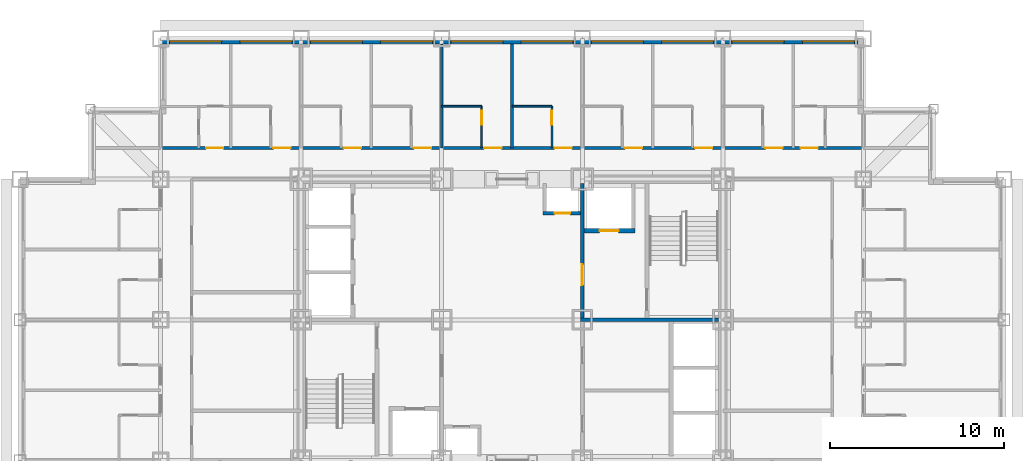
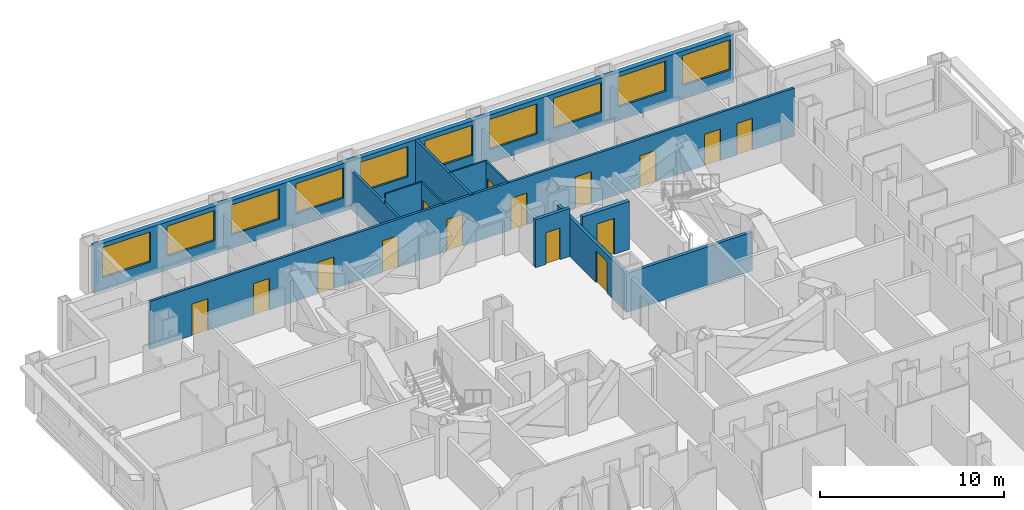
# One storey, part 9 of 12: 15 doors, 12 walls, 10 windows, 25 openings.
"""IFC4 building model written with IfcOpenShell, lengths in metres."""

from ifc_helpers import new_model, si_unit, direction, frame, frame_2d, origin, place, context, subcontext, project, spatial, rectangle, extrude, material, layer, layer_set, type_object, element, fill, save


model = new_model("IFC4")

# Units and contexts
model_context = context("Model", 3, precision=1e-05, world=origin(), true_north=direction((0.0, 1.0)))
body_context = subcontext(model_context, "Body", "Model", "MODEL_VIEW")
ifc_project = project(units=[si_unit("LENGTHUNIT", "METRE"), si_unit("AREAUNIT", "SQUARE_METRE"), si_unit("VOLUMEUNIT", "CUBIC_METRE"), si_unit("PLANEANGLEUNIT", "RADIAN"), si_unit("MASSUNIT", "GRAM", prefix="KILO")], contexts=[model_context])

# Site, building, storey
site_placement = place(None, origin())
site = spatial("IfcSite", under=ifc_project, at=site_placement, CompositionType="ELEMENT")
building_placement = place(site_placement, origin())
building = spatial("IfcBuilding", under=site, at=building_placement, Name="Kopane Lantern Tower", CompositionType="ELEMENT")
storey_placement = place(building_placement, frame((0.0, 0.0, 46.60009765625)))
storey = spatial("IfcBuildingStorey", under=building, at=storey_placement, Name="L10", CompositionType="ELEMENT", Elevation=46.60009765625)

# Wall
ifc_material_1 = material(Name="Moisture-resistant board on steel studs", Category="steel")
ifc_layer_1 = layer(ifc_material_1, 0.10009765625)
ifc_layer_set_1 = layer_set([ifc_layer_1], Name="BATHROOM WALL 100")
wall_type_1 = type_object("IfcWallType", Name="BATHROOM WALL 100", PredefinedType="PARTITIONING", material=ifc_layer_set_1)
wall_1_placement = place(storey_placement, frame((24.300048828125, 44.699951171875, 0.0), z_axis=(0.0, 0.0, 1.0), x_axis=(1.0, 0.0, 0.0)))
element("IfcWall", 1, at=wall_1_placement, inside=storey, type_object=wall_type_1, Name="Bathroom Wall 100 L10", PredefinedType="PARTITIONING", context=body_context, shape_type="SweptSolid", body=[
    extrude(rectangle(XDim=2.300048828125, YDim=0.10009765625, at=frame_2d((1.14990234375, 0.0))), origin(), (0.0, 0.0, 1.0), 3.18994140625),
])

# Wall, opening, door
wall_2_placement = place(storey_placement, frame((26.60009765625, 42.300048828125, 0.0), z_axis=(0.0, 0.0, 1.0), x_axis=(0.0, 1.0, 0.0)))
wall_2 = element("IfcWall", 2, at=wall_2_placement, inside=storey, type_object=wall_type_1, Name="Bathroom Wall 100 L10", PredefinedType="PARTITIONING", context=body_context, shape_type="SweptSolid", body=[
    extrude(rectangle(XDim=2.39990234375, YDim=0.10009765625, at=frame_2d((1.199951171875, 0.0))), origin(), (0.0, 0.0, 1.0), 3.18994140625),
])
opening_1_placement = place(wall_2_placement, frame((1.35009765625, 0.0, 0.0)))
opening_1 = element("IfcOpeningElement", 3, at=opening_1_placement, cuts=wall_2, Name="Opening L10-039", PredefinedType="OPENING", context=body_context, shape_type="SweptSolid", body=[
    extrude(rectangle(XDim=0.800048828125, YDim=2.10009765625, at=frame_2d((0.39990234375, 1.050048828125))), frame((0.0, 0.06005859375, 0.0), z_axis=(0.0, -1.0, 0.0), x_axis=(1.0, 0.0, 0.0)), (0.0, 0.0, 1.0), 0.1201171875),
])
ifc_material_2 = material(Name="Timber door set", Category="wood")
door_type_1 = type_object("IfcDoorType", Name="DOOR D2 800x2100", OperationType="SINGLE_SWING_LEFT", PredefinedType="DOOR", material=ifc_material_2)
door_1_placement = place(opening_1_placement, origin())
door_1 = element("IfcDoor", 4, at=door_1_placement, inside=storey, type_object=door_type_1, Name="Door L10-039", OperationType="SINGLE_SWING_RIGHT", OverallHeight=2.10009765625, OverallWidth=0.800048828125, PredefinedType="DOOR", context=body_context, shape_type="SweptSolid", body=[
    extrude(rectangle(XDim=0.800048828125, YDim=2.10009765625, at=frame_2d((0.39990234375, 1.050048828125))), frame((0.0, 0.02490234375, 0.0), z_axis=(0.0, -1.0, 0.0), x_axis=(1.0, 0.0, 0.0)), (0.0, 0.0, 1.0), 0.050048828125),
])
fill(opening_1, door_1)

# Wall
wall_3_placement = place(storey_placement, frame((28.35009765625, 44.699951171875, 0.0), z_axis=(0.0, 0.0, 1.0), x_axis=(1.0, 0.0, 0.0)))
element("IfcWall", 5, at=wall_3_placement, inside=storey, type_object=wall_type_1, Name="Bathroom Wall 100 L10", PredefinedType="PARTITIONING", context=body_context, shape_type="SweptSolid", body=[
    extrude(rectangle(XDim=2.2998046875, YDim=0.10009765625, at=frame_2d((1.14990234375, 0.0))), origin(), (0.0, 0.0, 1.0), 3.18994140625),
])

# Wall, opening, door
wall_4_placement = place(storey_placement, frame((30.64990234375, 42.300048828125, 0.0), z_axis=(0.0, 0.0, 1.0), x_axis=(0.0, 1.0, 0.0)))
wall_4 = element("IfcWall", 6, at=wall_4_placement, inside=storey, type_object=wall_type_1, Name="Bathroom Wall 100 L10", PredefinedType="PARTITIONING", context=body_context, shape_type="SweptSolid", body=[
    extrude(rectangle(XDim=2.39990234375, YDim=0.10009765625, at=frame_2d((1.199951171875, 0.0))), origin(), (0.0, 0.0, 1.0), 3.18994140625),
])
opening_2_placement = place(wall_4_placement, frame((1.35009765625, 0.0, 0.0)))
opening_2 = element("IfcOpeningElement", 7, at=opening_2_placement, cuts=wall_4, Name="Opening L10-041", PredefinedType="OPENING", context=body_context, shape_type="SweptSolid", body=[
    extrude(rectangle(XDim=0.800048828125, YDim=2.10009765625, at=frame_2d((0.39990234375, 1.050048828125))), frame((0.0, 0.06005859375, 0.0), z_axis=(0.0, -1.0, 0.0), x_axis=(1.0, 0.0, 0.0)), (0.0, 0.0, 1.0), 0.1201171875),
])
door_2_placement = place(opening_2_placement, origin())
door_2 = element("IfcDoor", 8, at=door_2_placement, inside=storey, type_object=door_type_1, Name="Door L10-041", OperationType="SINGLE_SWING_RIGHT", OverallHeight=2.10009765625, OverallWidth=0.800048828125, PredefinedType="DOOR", context=body_context, shape_type="SweptSolid", body=[
    extrude(rectangle(XDim=0.800048828125, YDim=2.10009765625, at=frame_2d((0.39990234375, 1.050048828125))), frame((0.0, 0.02490234375, 0.0), z_axis=(0.0, -1.0, 0.0), x_axis=(1.0, 0.0, 0.0)), (0.0, 0.0, 1.0), 0.050048828125),
])
fill(opening_2, door_2)

ifc_material_3 = material(Name="Gypsum shaft wall EI 120", Category="gypsum")
ifc_layer_2 = layer(ifc_material_3, 0.25)
ifc_layer_set_2 = layer_set([ifc_layer_2], Name="CORE SHAFT WALL 250 EI 120")
wall_type_2 = type_object("IfcWallType", Name="CORE SHAFT WALL 250 EI 120", PredefinedType="SOLIDWALL", material=ifc_layer_set_2)
wall_5_placement = place(storey_placement, frame((32.5, 37.52490234375, 0.0), z_axis=(0.0, 0.0, 1.0), x_axis=(1.0, 0.0, 0.0)))
wall_5 = element("IfcWall", 9, at=wall_5_placement, inside=storey, type_object=wall_type_2, Name="Core shaft wall L10 YLF2", PredefinedType="SOLIDWALL", context=body_context, shape_type="SweptSolid", body=[
    extrude(rectangle(XDim=2.949951171875, YDim=0.25, at=frame_2d((1.47509765625, 0.0))), origin(), (0.0, 0.0, 1.0), 3.18994140625),
])
opening_3_placement = place(wall_5_placement, frame((0.89990234375, 0.0, 0.0)))
opening_3 = element("IfcOpeningElement", 10, at=opening_3_placement, cuts=wall_5, Name="Opening 10.LD-LF2", PredefinedType="OPENING", context=body_context, shape_type="SweptSolid", body=[
    extrude(rectangle(XDim=1.10009765625, YDim=2.39990234375, at=frame_2d((0.550048828125, 1.199951171875))), frame((0.0, 0.135009765625, 0.0), z_axis=(0.0, -1.0, 0.0), x_axis=(1.0, 0.0, 0.0)), (0.0, 0.0, 1.0), 0.27001953125),
])
ifc_material_4 = material(Name="Steel door set", Category="steel")
door_type_2 = type_object("IfcDoorType", Name="LIFT LANDING DOOR 1100x2400 FD60", OperationType="DOUBLE_DOOR_SLIDING", PredefinedType="DOOR", material=ifc_material_4)
door_3_placement = place(opening_3_placement, origin())
door_3 = element("IfcDoor", 11, at=door_3_placement, inside=storey, type_object=door_type_2, Name="Landing door LF2 L10", OperationType="DOUBLE_DOOR_SLIDING", OverallHeight=2.39990234375, OverallWidth=1.10009765625, PredefinedType="DOOR", context=body_context, shape_type="SweptSolid", body=[
    extrude(rectangle(XDim=1.10009765625, YDim=2.39990234375, at=frame_2d((0.550048828125, 1.199951171875))), frame((0.0, 0.02490234375, 0.0), z_axis=(0.0, -1.0, 0.0), x_axis=(1.0, 0.0, 0.0)), (0.0, 0.0, 1.0), 0.050048828125),
])
fill(opening_3, door_3)

# Wall, openings, doors
ifc_material_5 = material(Name="Gypsum board on steel studs", Category="steel")
ifc_layer_3 = layer(ifc_material_5, 0.14990234375)
ifc_layer_set_3 = layer_set([ifc_layer_3], Name="CORRIDOR WALL 150 EI 60")
wall_type_3 = type_object("IfcWallType", Name="CORRIDOR WALL 150 EI 60", PredefinedType="PARTITIONING", material=ifc_layer_set_3)
wall_6_placement = place(storey_placement, frame((8.10009765625, 42.300048828125, 0.0), z_axis=(0.0, 0.0, 1.0), x_axis=(1.0, 0.0, 0.0)))
wall_6 = element("IfcWall", 12, at=wall_6_placement, inside=storey, type_object=wall_type_3, Name="Corridor Wall 150 Ei 60 L10", PredefinedType="PARTITIONING", context=body_context, shape_type="SweptSolid", body=[
    extrude(rectangle(XDim=40.5, YDim=0.14990234375, at=frame_2d((20.25, 0.0))), origin(), (0.0, 0.0, 1.0), 3.18994140625),
])
opening_4_placement = place(wall_6_placement, frame((6.5, 0.0, 0.0)))
opening_4 = element("IfcOpeningElement", 13, at=opening_4_placement, cuts=wall_6, Name="Opening L10-034", PredefinedType="OPENING", context=body_context, shape_type="SweptSolid", body=[
    extrude(rectangle(XDim=1.0, YDim=2.10009765625, at=frame_2d((0.5, 1.050048828125))), frame((0.0, 0.0849609375, 0.0), z_axis=(0.0, -1.0, 0.0), x_axis=(1.0, 0.0, 0.0)), (0.0, 0.0, 1.0), 0.169921875),
])
opening_5_placement = place(wall_6_placement, frame((10.550048828125, 0.0, 0.0)))
opening_5 = element("IfcOpeningElement", 14, at=opening_5_placement, cuts=wall_6, Name="Opening L10-036", PredefinedType="OPENING", context=body_context, shape_type="SweptSolid", body=[
    extrude(rectangle(XDim=1.0, YDim=2.10009765625, at=frame_2d((0.5, 1.050048828125))), frame((0.0, 0.0849609375, 0.0), z_axis=(0.0, -1.0, 0.0), x_axis=(1.0, 0.0, 0.0)), (0.0, 0.0, 1.0), 0.169921875),
])
opening_6_placement = place(wall_6_placement, frame((14.60009765625, 0.0, 0.0)))
opening_6 = element("IfcOpeningElement", 15, at=opening_6_placement, cuts=wall_6, Name="Opening L10-038", PredefinedType="OPENING", context=body_context, shape_type="SweptSolid", body=[
    extrude(rectangle(XDim=1.0, YDim=2.10009765625, at=frame_2d((0.5, 1.050048828125))), frame((0.0, 0.0849609375, 0.0), z_axis=(0.0, -1.0, 0.0), x_axis=(1.0, 0.0, 0.0)), (0.0, 0.0, 1.0), 0.169921875),
])
opening_7_placement = place(wall_6_placement, frame((18.64990234375, 0.0, 0.0)))
opening_7 = element("IfcOpeningElement", 16, at=opening_7_placement, cuts=wall_6, Name="Opening L10-040", PredefinedType="OPENING", context=body_context, shape_type="SweptSolid", body=[
    extrude(rectangle(XDim=1.0, YDim=2.10009765625, at=frame_2d((0.5, 1.050048828125))), frame((0.0, 0.0849609375, 0.0), z_axis=(0.0, -1.0, 0.0), x_axis=(1.0, 0.0, 0.0)), (0.0, 0.0, 1.0), 0.169921875),
])
opening_8_placement = place(wall_6_placement, frame((22.699951171875, 0.0, 0.0)))
opening_8 = element("IfcOpeningElement", 17, at=opening_8_placement, cuts=wall_6, Name="Opening L10-042", PredefinedType="OPENING", context=body_context, shape_type="SweptSolid", body=[
    extrude(rectangle(XDim=1.0, YDim=2.10009765625, at=frame_2d((0.5, 1.050048828125))), frame((0.0, 0.0849609375, 0.0), z_axis=(0.0, -1.0, 0.0), x_axis=(1.0, 0.0, 0.0)), (0.0, 0.0, 1.0), 0.169921875),
])
opening_9_placement = place(wall_6_placement, frame((26.75, 0.0, 0.0)))
opening_9 = element("IfcOpeningElement", 18, at=opening_9_placement, cuts=wall_6, Name="Opening L10-044", PredefinedType="OPENING", context=body_context, shape_type="SweptSolid", body=[
    extrude(rectangle(XDim=1.0, YDim=2.10009765625, at=frame_2d((0.5, 1.050048828125))), frame((0.0, 0.0849609375, 0.0), z_axis=(0.0, -1.0, 0.0), x_axis=(1.0, 0.0, 0.0)), (0.0, 0.0, 1.0), 0.169921875),
])
opening_10_placement = place(wall_6_placement, frame((30.800048828125, 0.0, 0.0)))
opening_10 = element("IfcOpeningElement", 19, at=opening_10_placement, cuts=wall_6, Name="Opening L10-046", PredefinedType="OPENING", context=body_context, shape_type="SweptSolid", body=[
    extrude(rectangle(XDim=1.0, YDim=2.10009765625, at=frame_2d((0.5, 1.050048828125))), frame((0.0, 0.0849609375, 0.0), z_axis=(0.0, -1.0, 0.0), x_axis=(1.0, 0.0, 0.0)), (0.0, 0.0, 1.0), 0.169921875),
])
opening_11_placement = place(wall_6_placement, frame((34.85009765625, 0.0, 0.0)))
opening_11 = element("IfcOpeningElement", 20, at=opening_11_placement, cuts=wall_6, Name="Opening L10-048", PredefinedType="OPENING", context=body_context, shape_type="SweptSolid", body=[
    extrude(rectangle(XDim=1.0, YDim=2.10009765625, at=frame_2d((0.5, 1.050048828125))), frame((0.0, 0.0849609375, 0.0), z_axis=(0.0, -1.0, 0.0), x_axis=(1.0, 0.0, 0.0)), (0.0, 0.0, 1.0), 0.169921875),
])
opening_12_placement = place(wall_6_placement, frame((36.875, 0.0, 0.0)))
opening_12 = element("IfcOpeningElement", 21, at=opening_12_placement, cuts=wall_6, Name="Opening L10-084", PredefinedType="OPENING", context=body_context, shape_type="SweptSolid", body=[
    extrude(rectangle(XDim=1.0, YDim=2.10009765625, at=frame_2d((0.5, 1.050048828125))), frame((0.0, 0.0849609375, 0.0), z_axis=(0.0, -1.0, 0.0), x_axis=(1.0, 0.0, 0.0)), (0.0, 0.0, 1.0), 0.169921875),
])
opening_13_placement = place(wall_6_placement, frame((2.625, 0.0, 0.0)))
opening_13 = element("IfcOpeningElement", 22, at=opening_13_placement, cuts=wall_6, Name="Opening L10-087", PredefinedType="OPENING", context=body_context, shape_type="SweptSolid", body=[
    extrude(rectangle(XDim=1.0, YDim=2.10009765625, at=frame_2d((0.5, 1.050048828125))), frame((0.0, 0.0849609375, 0.0), z_axis=(0.0, -1.0, 0.0), x_axis=(1.0, 0.0, 0.0)), (0.0, 0.0, 1.0), 0.169921875),
])
ifc_material_6 = material(Name="Steel door set", Category="steel")
door_type_3 = type_object("IfcDoorType", Name="DOOR D1 1000x2100 FD30S", OperationType="SINGLE_SWING_LEFT", PredefinedType="DOOR", material=ifc_material_6)
door_4_placement = place(opening_4_placement, origin())
door_4 = element("IfcDoor", 23, at=door_4_placement, inside=storey, type_object=door_type_3, Name="Door L10-034", OperationType="SINGLE_SWING_LEFT", OverallHeight=2.10009765625, OverallWidth=1.0, PredefinedType="DOOR", context=body_context, shape_type="SweptSolid", body=[
    extrude(rectangle(XDim=1.0, YDim=2.10009765625, at=frame_2d((0.5, 1.050048828125))), frame((0.0, 0.02490234375, 0.0), z_axis=(0.0, -1.0, 0.0), x_axis=(1.0, 0.0, 0.0)), (0.0, 0.0, 1.0), 0.050048828125),
])
fill(opening_4, door_4)
door_5_placement = place(opening_5_placement, origin())
door_5 = element("IfcDoor", 24, at=door_5_placement, inside=storey, type_object=door_type_3, Name="Door L10-036", OperationType="SINGLE_SWING_LEFT", OverallHeight=2.10009765625, OverallWidth=1.0, PredefinedType="DOOR", context=body_context, shape_type="SweptSolid", body=[
    extrude(rectangle(XDim=1.0, YDim=2.10009765625, at=frame_2d((0.5, 1.050048828125))), frame((0.0, 0.02490234375, 0.0), z_axis=(0.0, -1.0, 0.0), x_axis=(1.0, 0.0, 0.0)), (0.0, 0.0, 1.0), 0.050048828125),
])
fill(opening_5, door_5)
door_6_placement = place(opening_6_placement, origin())
door_6 = element("IfcDoor", 25, at=door_6_placement, inside=storey, type_object=door_type_3, Name="Door L10-038", OperationType="SINGLE_SWING_LEFT", OverallHeight=2.10009765625, OverallWidth=1.0, PredefinedType="DOOR", context=body_context, shape_type="SweptSolid", body=[
    extrude(rectangle(XDim=1.0, YDim=2.10009765625, at=frame_2d((0.5, 1.050048828125))), frame((0.0, 0.02490234375, 0.0), z_axis=(0.0, -1.0, 0.0), x_axis=(1.0, 0.0, 0.0)), (0.0, 0.0, 1.0), 0.050048828125),
])
fill(opening_6, door_6)
door_7_placement = place(opening_7_placement, origin())
door_7 = element("IfcDoor", 26, at=door_7_placement, inside=storey, type_object=door_type_3, Name="Door L10-040", OperationType="SINGLE_SWING_LEFT", OverallHeight=2.10009765625, OverallWidth=1.0, PredefinedType="DOOR", context=body_context, shape_type="SweptSolid", body=[
    extrude(rectangle(XDim=1.0, YDim=2.10009765625, at=frame_2d((0.5, 1.050048828125))), frame((0.0, 0.02490234375, 0.0), z_axis=(0.0, -1.0, 0.0), x_axis=(1.0, 0.0, 0.0)), (0.0, 0.0, 1.0), 0.050048828125),
])
fill(opening_7, door_7)
door_8_placement = place(opening_8_placement, origin())
door_8 = element("IfcDoor", 27, at=door_8_placement, inside=storey, type_object=door_type_3, Name="Door L10-042", OperationType="SINGLE_SWING_LEFT", OverallHeight=2.10009765625, OverallWidth=1.0, PredefinedType="DOOR", context=body_context, shape_type="SweptSolid", body=[
    extrude(rectangle(XDim=1.0, YDim=2.10009765625, at=frame_2d((0.5, 1.050048828125))), frame((0.0, 0.02490234375, 0.0), z_axis=(0.0, -1.0, 0.0), x_axis=(1.0, 0.0, 0.0)), (0.0, 0.0, 1.0), 0.050048828125),
])
fill(opening_8, door_8)
door_9_placement = place(opening_9_placement, origin())
door_9 = element("IfcDoor", 28, at=door_9_placement, inside=storey, type_object=door_type_3, Name="Door L10-044", OperationType="SINGLE_SWING_LEFT", OverallHeight=2.10009765625, OverallWidth=1.0, PredefinedType="DOOR", context=body_context, shape_type="SweptSolid", body=[
    extrude(rectangle(XDim=1.0, YDim=2.10009765625, at=frame_2d((0.5, 1.050048828125))), frame((0.0, 0.02490234375, 0.0), z_axis=(0.0, -1.0, 0.0), x_axis=(1.0, 0.0, 0.0)), (0.0, 0.0, 1.0), 0.050048828125),
])
fill(opening_9, door_9)
door_10_placement = place(opening_10_placement, origin())
door_10 = element("IfcDoor", 29, at=door_10_placement, inside=storey, type_object=door_type_3, Name="Door L10-046", OperationType="SINGLE_SWING_LEFT", OverallHeight=2.10009765625, OverallWidth=1.0, PredefinedType="DOOR", context=body_context, shape_type="SweptSolid", body=[
    extrude(rectangle(XDim=1.0, YDim=2.10009765625, at=frame_2d((0.5, 1.050048828125))), frame((0.0, 0.02490234375, 0.0), z_axis=(0.0, -1.0, 0.0), x_axis=(1.0, 0.0, 0.0)), (0.0, 0.0, 1.0), 0.050048828125),
])
fill(opening_10, door_10)
door_11_placement = place(opening_11_placement, origin())
door_11 = element("IfcDoor", 30, at=door_11_placement, inside=storey, type_object=door_type_3, Name="Door L10-048", OperationType="SINGLE_SWING_LEFT", OverallHeight=2.10009765625, OverallWidth=1.0, PredefinedType="DOOR", context=body_context, shape_type="SweptSolid", body=[
    extrude(rectangle(XDim=1.0, YDim=2.10009765625, at=frame_2d((0.5, 1.050048828125))), frame((0.0, 0.02490234375, 0.0), z_axis=(0.0, -1.0, 0.0), x_axis=(1.0, 0.0, 0.0)), (0.0, 0.0, 1.0), 0.050048828125),
])
fill(opening_11, door_11)
door_12_placement = place(opening_12_placement, origin())
door_12 = element("IfcDoor", 31, at=door_12_placement, inside=storey, type_object=door_type_3, Name="Door L10-084", OperationType="SINGLE_SWING_RIGHT", OverallHeight=2.10009765625, OverallWidth=1.0, PredefinedType="DOOR", context=body_context, shape_type="SweptSolid", body=[
    extrude(rectangle(XDim=1.0, YDim=2.10009765625, at=frame_2d((0.5, 1.050048828125))), frame((0.0, 0.02490234375, 0.0), z_axis=(0.0, -1.0, 0.0), x_axis=(1.0, 0.0, 0.0)), (0.0, 0.0, 1.0), 0.050048828125),
])
fill(opening_12, door_12)
door_13_placement = place(opening_13_placement, origin())
door_13 = element("IfcDoor", 32, at=door_13_placement, inside=storey, type_object=door_type_3, Name="Door L10-087", OperationType="SINGLE_SWING_LEFT", OverallHeight=2.10009765625, OverallWidth=1.0, PredefinedType="DOOR", context=body_context, shape_type="SweptSolid", body=[
    extrude(rectangle(XDim=1.0, YDim=2.10009765625, at=frame_2d((0.5, 1.050048828125))), frame((0.0, 0.02490234375, 0.0), z_axis=(0.0, -1.0, 0.0), x_axis=(1.0, 0.0, 0.0)), (0.0, 0.0, 1.0), 0.050048828125),
])
fill(opening_13, door_13)

# Walls
ifc_material_7 = material(Name="Gypsum board on steel studs", Category="steel")
ifc_layer_4 = layer(ifc_material_7, 0.14990234375)
ifc_layer_set_4 = layer_set([ifc_layer_4], Name="DEMISING WALL 150 EI 60")
wall_type_4 = type_object("IfcWallType", Name="DEMISING WALL 150 EI 60", PredefinedType="PARTITIONING", material=ifc_layer_set_4)
wall_7_placement = place(storey_placement, frame((24.300048828125, 42.300048828125, 0.0), z_axis=(0.0, 0.0, 1.0), x_axis=(0.0, 1.0, 0.0)))
element("IfcWall", 33, at=wall_7_placement, inside=storey, type_object=wall_type_4, Name="Demising Wall 150 Ei 60 L10", PredefinedType="PARTITIONING", context=body_context, shape_type="SweptSolid", body=[
    extrude(rectangle(XDim=6.0, YDim=0.14990234375, at=frame_2d((3.0, 0.0))), origin(), (0.0, 0.0, 1.0), 2.57763671875),
])
wall_8_placement = place(storey_placement, frame((28.35009765625, 42.300048828125, 0.0), z_axis=(0.0, 0.0, 1.0), x_axis=(0.0, 1.0, 0.0)))
element("IfcWall", 34, at=wall_8_placement, inside=storey, type_object=wall_type_4, Name="Demising Wall 150 Ei 60 L10", PredefinedType="PARTITIONING", context=body_context, shape_type="SweptSolid", body=[
    extrude(rectangle(XDim=6.0, YDim=0.14990234375, at=frame_2d((3.0, 0.0))), origin(), (0.0, 0.0, 1.0), 3.18994140625),
])

# Wall, openings, windows
ifc_material_8 = material(Name="Terracotta rainscreen on light steel framing", Category="masonry")
ifc_layer_5 = layer(ifc_material_8, 0.300048828125)
ifc_layer_set_5 = layer_set([ifc_layer_5], Name="EXTERNAL WALL EW1 300 TERRACOTTA")
wall_type_5 = type_object("IfcWallType", Name="EXTERNAL WALL EW1 300 TERRACOTTA", PredefinedType="SOLIDWALL", material=ifc_layer_set_5)
wall_9_placement = place(storey_placement, frame((48.300048828125, 48.449951171875, 0.0), z_axis=(0.0, 0.0, 1.0), x_axis=(-1.0, 0.0, 0.0)))
wall_9 = element("IfcWall", 35, at=wall_9_placement, inside=storey, type_object=wall_type_5, Name="External wall N L10", PredefinedType="SOLIDWALL", context=body_context, shape_type="SweptSolid", body=[
    extrude(rectangle(XDim=40.199951171875, YDim=0.300048828125, at=frame_2d((20.10009765625, 0.0))), origin(), (0.0, 0.0, 1.0), 3.18994140625),
])
opening_14_placement = place(wall_9_placement, frame((0.22509765625, 0.0, 0.89990234375)))
opening_14 = element("IfcOpeningElement", 36, at=opening_14_placement, cuts=wall_9, Name="Opening WR300200", PredefinedType="OPENING", context=body_context, shape_type="SweptSolid", body=[
    extrude(rectangle(XDim=3.0, YDim=2.0, at=frame_2d((1.5, 1.0))), frame((0.0, 0.159912109375, 0.0), z_axis=(0.0, -1.0, 0.0), x_axis=(1.0, 0.0, 0.0)), (0.0, 0.0, 1.0), 0.320068359375),
])
opening_15_placement = place(wall_9_placement, frame((4.27490234375, 0.0, 0.89990234375)))
opening_15 = element("IfcOpeningElement", 37, at=opening_15_placement, cuts=wall_9, Name="Opening WR300200", PredefinedType="OPENING", context=body_context, shape_type="SweptSolid", body=[
    extrude(rectangle(XDim=3.0, YDim=2.0, at=frame_2d((1.5, 1.0))), frame((0.0, 0.159912109375, 0.0), z_axis=(0.0, -1.0, 0.0), x_axis=(1.0, 0.0, 0.0)), (0.0, 0.0, 1.0), 0.320068359375),
])
opening_16_placement = place(wall_9_placement, frame((8.324951171875, 0.0, 0.89990234375)))
opening_16 = element("IfcOpeningElement", 38, at=opening_16_placement, cuts=wall_9, Name="Opening WR300200", PredefinedType="OPENING", context=body_context, shape_type="SweptSolid", body=[
    extrude(rectangle(XDim=3.0, YDim=2.0, at=frame_2d((1.5, 1.0))), frame((0.0, 0.159912109375, 0.0), z_axis=(0.0, -1.0, 0.0), x_axis=(1.0, 0.0, 0.0)), (0.0, 0.0, 1.0), 0.320068359375),
])
opening_17_placement = place(wall_9_placement, frame((12.375, 0.0, 0.89990234375)))
opening_17 = element("IfcOpeningElement", 39, at=opening_17_placement, cuts=wall_9, Name="Opening WR300200", PredefinedType="OPENING", context=body_context, shape_type="SweptSolid", body=[
    extrude(rectangle(XDim=3.0, YDim=2.0, at=frame_2d((1.5, 1.0))), frame((0.0, 0.159912109375, 0.0), z_axis=(0.0, -1.0, 0.0), x_axis=(1.0, 0.0, 0.0)), (0.0, 0.0, 1.0), 0.320068359375),
])
opening_18_placement = place(wall_9_placement, frame((16.425048828125, 0.0, 0.89990234375)))
opening_18 = element("IfcOpeningElement", 40, at=opening_18_placement, cuts=wall_9, Name="Opening WR300200", PredefinedType="OPENING", context=body_context, shape_type="SweptSolid", body=[
    extrude(rectangle(XDim=3.0, YDim=2.0, at=frame_2d((1.5, 1.0))), frame((0.0, 0.159912109375, 0.0), z_axis=(0.0, -1.0, 0.0), x_axis=(1.0, 0.0, 0.0)), (0.0, 0.0, 1.0), 0.320068359375),
])
opening_19_placement = place(wall_9_placement, frame((20.47509765625, 0.0, 0.89990234375)))
opening_19 = element("IfcOpeningElement", 41, at=opening_19_placement, cuts=wall_9, Name="Opening WR300200", PredefinedType="OPENING", context=body_context, shape_type="SweptSolid", body=[
    extrude(rectangle(XDim=3.0, YDim=2.0, at=frame_2d((1.5, 1.0))), frame((0.0, 0.159912109375, 0.0), z_axis=(0.0, -1.0, 0.0), x_axis=(1.0, 0.0, 0.0)), (0.0, 0.0, 1.0), 0.320068359375),
])
opening_20_placement = place(wall_9_placement, frame((24.52490234375, 0.0, 0.89990234375)))
opening_20 = element("IfcOpeningElement", 42, at=opening_20_placement, cuts=wall_9, Name="Opening WR300200", PredefinedType="OPENING", context=body_context, shape_type="SweptSolid", body=[
    extrude(rectangle(XDim=3.0, YDim=2.0, at=frame_2d((1.5, 1.0))), frame((0.0, 0.159912109375, 0.0), z_axis=(0.0, -1.0, 0.0), x_axis=(1.0, 0.0, 0.0)), (0.0, 0.0, 1.0), 0.320068359375),
])
opening_21_placement = place(wall_9_placement, frame((28.574951171875, 0.0, 0.89990234375)))
opening_21 = element("IfcOpeningElement", 43, at=opening_21_placement, cuts=wall_9, Name="Opening WR300200", PredefinedType="OPENING", context=body_context, shape_type="SweptSolid", body=[
    extrude(rectangle(XDim=3.0, YDim=2.0, at=frame_2d((1.5, 1.0))), frame((0.0, 0.159912109375, 0.0), z_axis=(0.0, -1.0, 0.0), x_axis=(1.0, 0.0, 0.0)), (0.0, 0.0, 1.0), 0.320068359375),
])
opening_22_placement = place(wall_9_placement, frame((32.625, 0.0, 0.89990234375)))
opening_22 = element("IfcOpeningElement", 44, at=opening_22_placement, cuts=wall_9, Name="Opening WR300200", PredefinedType="OPENING", context=body_context, shape_type="SweptSolid", body=[
    extrude(rectangle(XDim=3.0, YDim=2.0, at=frame_2d((1.5, 1.0))), frame((0.0, 0.159912109375, 0.0), z_axis=(0.0, -1.0, 0.0), x_axis=(1.0, 0.0, 0.0)), (0.0, 0.0, 1.0), 0.320068359375),
])
opening_23_placement = place(wall_9_placement, frame((36.675048828125, 0.0, 0.89990234375)))
opening_23 = element("IfcOpeningElement", 45, at=opening_23_placement, cuts=wall_9, Name="Opening WR300200", PredefinedType="OPENING", context=body_context, shape_type="SweptSolid", body=[
    extrude(rectangle(XDim=3.0, YDim=2.0, at=frame_2d((1.5, 1.0))), frame((0.0, 0.159912109375, 0.0), z_axis=(0.0, -1.0, 0.0), x_axis=(1.0, 0.0, 0.0)), (0.0, 0.0, 1.0), 0.320068359375),
])
ifc_material_9 = material(Name="Aluminium and clear glass", Category="aluminium")
window_type = type_object("IfcWindowType", Name="RIBBON WINDOW WR300200 3000x2000", PartitioningType="SINGLE_PANEL", PredefinedType="WINDOW", material=ifc_material_9)
window_1_placement = place(opening_14_placement, origin())
window_1 = element("IfcWindow", 46, at=window_1_placement, inside=storey, type_object=window_type, Name="Window N L10", OverallHeight=2.0, OverallWidth=3.0, PartitioningType="SINGLE_PANEL", PredefinedType="WINDOW", context=body_context, shape_type="SweptSolid", body=[
    extrude(rectangle(XDim=3.0, YDim=2.0, at=frame_2d((1.5, 1.0))), frame((0.0, 0.030029296875, 0.0), z_axis=(0.0, -1.0, 0.0), x_axis=(1.0, 0.0, 0.0)), (0.0, 0.0, 1.0), 0.06005859375),
])
fill(opening_14, window_1)
window_2_placement = place(opening_15_placement, origin())
window_2 = element("IfcWindow", 47, at=window_2_placement, inside=storey, type_object=window_type, Name="Window N L10", OverallHeight=2.0, OverallWidth=3.0, PartitioningType="SINGLE_PANEL", PredefinedType="WINDOW", context=body_context, shape_type="SweptSolid", body=[
    extrude(rectangle(XDim=3.0, YDim=2.0, at=frame_2d((1.5, 1.0))), frame((0.0, 0.030029296875, 0.0), z_axis=(0.0, -1.0, 0.0), x_axis=(1.0, 0.0, 0.0)), (0.0, 0.0, 1.0), 0.06005859375),
])
fill(opening_15, window_2)
window_3_placement = place(opening_16_placement, origin())
window_3 = element("IfcWindow", 48, at=window_3_placement, inside=storey, type_object=window_type, Name="Window N L10", OverallHeight=2.0, OverallWidth=3.0, PartitioningType="SINGLE_PANEL", PredefinedType="WINDOW", context=body_context, shape_type="SweptSolid", body=[
    extrude(rectangle(XDim=3.0, YDim=2.0, at=frame_2d((1.5, 1.0))), frame((0.0, 0.030029296875, 0.0), z_axis=(0.0, -1.0, 0.0), x_axis=(1.0, 0.0, 0.0)), (0.0, 0.0, 1.0), 0.06005859375),
])
fill(opening_16, window_3)
window_4_placement = place(opening_17_placement, origin())
window_4 = element("IfcWindow", 49, at=window_4_placement, inside=storey, type_object=window_type, Name="Window N L10", OverallHeight=2.0, OverallWidth=3.0, PartitioningType="SINGLE_PANEL", PredefinedType="WINDOW", context=body_context, shape_type="SweptSolid", body=[
    extrude(rectangle(XDim=3.0, YDim=2.0, at=frame_2d((1.5, 1.0))), frame((0.0, 0.030029296875, 0.0), z_axis=(0.0, -1.0, 0.0), x_axis=(1.0, 0.0, 0.0)), (0.0, 0.0, 1.0), 0.06005859375),
])
fill(opening_17, window_4)
window_5_placement = place(opening_18_placement, origin())
window_5 = element("IfcWindow", 50, at=window_5_placement, inside=storey, type_object=window_type, Name="Window N L10", OverallHeight=2.0, OverallWidth=3.0, PartitioningType="SINGLE_PANEL", PredefinedType="WINDOW", context=body_context, shape_type="SweptSolid", body=[
    extrude(rectangle(XDim=3.0, YDim=2.0, at=frame_2d((1.5, 1.0))), frame((0.0, 0.030029296875, 0.0), z_axis=(0.0, -1.0, 0.0), x_axis=(1.0, 0.0, 0.0)), (0.0, 0.0, 1.0), 0.06005859375),
])
fill(opening_18, window_5)
window_6_placement = place(opening_19_placement, origin())
window_6 = element("IfcWindow", 51, at=window_6_placement, inside=storey, type_object=window_type, Name="Window N L10", OverallHeight=2.0, OverallWidth=3.0, PartitioningType="SINGLE_PANEL", PredefinedType="WINDOW", context=body_context, shape_type="SweptSolid", body=[
    extrude(rectangle(XDim=3.0, YDim=2.0, at=frame_2d((1.5, 1.0))), frame((0.0, 0.030029296875, 0.0), z_axis=(0.0, -1.0, 0.0), x_axis=(1.0, 0.0, 0.0)), (0.0, 0.0, 1.0), 0.06005859375),
])
fill(opening_19, window_6)
window_7_placement = place(opening_20_placement, origin())
window_7 = element("IfcWindow", 52, at=window_7_placement, inside=storey, type_object=window_type, Name="Window N L10", OverallHeight=2.0, OverallWidth=3.0, PartitioningType="SINGLE_PANEL", PredefinedType="WINDOW", context=body_context, shape_type="SweptSolid", body=[
    extrude(rectangle(XDim=3.0, YDim=2.0, at=frame_2d((1.5, 1.0))), frame((0.0, 0.030029296875, 0.0), z_axis=(0.0, -1.0, 0.0), x_axis=(1.0, 0.0, 0.0)), (0.0, 0.0, 1.0), 0.06005859375),
])
fill(opening_20, window_7)
window_8_placement = place(opening_21_placement, origin())
window_8 = element("IfcWindow", 53, at=window_8_placement, inside=storey, type_object=window_type, Name="Window N L10", OverallHeight=2.0, OverallWidth=3.0, PartitioningType="SINGLE_PANEL", PredefinedType="WINDOW", context=body_context, shape_type="SweptSolid", body=[
    extrude(rectangle(XDim=3.0, YDim=2.0, at=frame_2d((1.5, 1.0))), frame((0.0, 0.030029296875, 0.0), z_axis=(0.0, -1.0, 0.0), x_axis=(1.0, 0.0, 0.0)), (0.0, 0.0, 1.0), 0.06005859375),
])
fill(opening_21, window_8)
window_9_placement = place(opening_22_placement, origin())
window_9 = element("IfcWindow", 54, at=window_9_placement, inside=storey, type_object=window_type, Name="Window N L10", OverallHeight=2.0, OverallWidth=3.0, PartitioningType="SINGLE_PANEL", PredefinedType="WINDOW", context=body_context, shape_type="SweptSolid", body=[
    extrude(rectangle(XDim=3.0, YDim=2.0, at=frame_2d((1.5, 1.0))), frame((0.0, 0.030029296875, 0.0), z_axis=(0.0, -1.0, 0.0), x_axis=(1.0, 0.0, 0.0)), (0.0, 0.0, 1.0), 0.06005859375),
])
fill(opening_22, window_9)
window_10_placement = place(opening_23_placement, origin())
window_10 = element("IfcWindow", 55, at=window_10_placement, inside=storey, type_object=window_type, Name="Window N L10", OverallHeight=2.0, OverallWidth=3.0, PartitioningType="SINGLE_PANEL", PredefinedType="WINDOW", context=body_context, shape_type="SweptSolid", body=[
    extrude(rectangle(XDim=3.0, YDim=2.0, at=frame_2d((1.5, 1.0))), frame((0.0, 0.030029296875, 0.0), z_axis=(0.0, -1.0, 0.0), x_axis=(1.0, 0.0, 0.0)), (0.0, 0.0, 1.0), 0.06005859375),
])
fill(opening_23, window_10)

# Wall
ifc_material_10 = material(Name="Gypsum shaft wall EI 120", Category="gypsum")
ifc_layer_6 = layer(ifc_material_10, 0.199951171875)
ifc_layer_set_6 = layer_set([ifc_layer_6], Name="SHAFT WALL 200 EI 120")
wall_type_6 = type_object("IfcWallType", Name="SHAFT WALL 200 EI 120", PredefinedType="SOLIDWALL", material=ifc_layer_set_6)
wall_10_placement = place(storey_placement, frame((32.300048828125, 32.39990234375, 0.0), z_axis=(0.0, 0.0, 1.0), x_axis=(1.0, 0.0, 0.0)))
element("IfcWall", 56, at=wall_10_placement, inside=storey, type_object=wall_type_6, Name="Core shaft wall L10 Y324E", PredefinedType="SOLIDWALL", context=body_context, shape_type="SweptSolid", body=[
    extrude(rectangle(XDim=7.949951171875, YDim=0.199951171875, at=frame_2d((3.97509765625, 0.0))), origin(), (0.0, 0.0, 1.0), 2.57763671875),
])

# Wall, opening, door
wall_11_placement = place(storey_placement, frame((32.39990234375, 32.5, 0.0), z_axis=(0.0, 0.0, 1.0), x_axis=(0.0, 1.0, 0.0)))
wall_11 = element("IfcWall", 57, at=wall_11_placement, inside=storey, type_object=wall_type_6, Name="Core shaft wall L10 X324", PredefinedType="SOLIDWALL", context=body_context, shape_type="SweptSolid", body=[
    extrude(rectangle(XDim=7.75, YDim=0.199951171875, at=frame_2d((3.875, 0.0))), origin(), (0.0, 0.0, 1.0), 2.57763671875),
])
opening_24_placement = place(wall_11_placement, frame((1.89990234375, 0.0, 0.0)))
opening_24 = element("IfcOpeningElement", 58, at=opening_24_placement, cuts=wall_11, Name="Opening 10.FL2", PredefinedType="OPENING", context=body_context, shape_type="SweptSolid", body=[
    extrude(rectangle(XDim=1.199951171875, YDim=2.10009765625, at=frame_2d((0.60009765625, 1.050048828125))), frame((0.0, 0.10986328125, 0.0), z_axis=(0.0, -1.0, 0.0), x_axis=(1.0, 0.0, 0.0)), (0.0, 0.0, 1.0), 0.219970703125),
])
ifc_material_11 = material(Name="Steel door set", Category="steel")
door_type_4 = type_object("IfcDoorType", Name="FIREFIGHTING LOBBY DOOR 1200x2100 FD60S", OperationType="SINGLE_SWING_RIGHT", PredefinedType="DOOR", material=ifc_material_11)
door_14_placement = place(opening_24_placement, origin())
door_14 = element("IfcDoor", 59, at=door_14_placement, inside=storey, type_object=door_type_4, Name="Firefighting lobby door FL2 L10", OperationType="SINGLE_SWING_LEFT", OverallHeight=2.10009765625, OverallWidth=1.199951171875, PredefinedType="DOOR", context=body_context, shape_type="SweptSolid", body=[
    extrude(rectangle(XDim=1.199951171875, YDim=2.10009765625, at=frame_2d((0.60009765625, 1.050048828125))), frame((0.0, 0.02490234375, 0.0), z_axis=(0.0, -1.0, 0.0), x_axis=(1.0, 0.0, 0.0)), (0.0, 0.0, 1.0), 0.050048828125),
])
fill(opening_24, door_14)

wall_12_placement = place(storey_placement, frame((30.14990234375, 38.550048828125, 0.0), z_axis=(0.0, 0.0, 1.0), x_axis=(1.0, 0.0, 0.0)))
wall_12 = element("IfcWall", 60, at=wall_12_placement, inside=storey, type_object=wall_type_6, Name="Core shaft wall L10 YRS2", PredefinedType="SOLIDWALL", context=body_context, shape_type="SweptSolid", body=[
    extrude(rectangle(XDim=2.150146484375, YDim=0.199951171875, at=frame_2d((1.0751953125, 0.0))), origin(), (0.0, 0.0, 1.0), 3.18994140625),
])
opening_25_placement = place(wall_12_placement, frame((0.64990234375, 0.0, 0.0)))
opening_25 = element("IfcOpeningElement", 61, at=opening_25_placement, cuts=wall_12, Name="Opening 10.RS2", PredefinedType="OPENING", context=body_context, shape_type="SweptSolid", body=[
    extrude(rectangle(XDim=0.89990234375, YDim=2.10009765625, at=frame_2d((0.449951171875, 1.050048828125))), frame((0.0, 0.10986328125, 0.0), z_axis=(0.0, -1.0, 0.0), x_axis=(1.0, 0.0, 0.0)), (0.0, 0.0, 1.0), 0.219970703125),
])
ifc_material_12 = material(Name="Steel door set", Category="steel")
door_type_5 = type_object("IfcDoorType", Name="RISER ACCESS DOOR 900x2100 FD60", OperationType="SINGLE_SWING_LEFT", PredefinedType="DOOR", material=ifc_material_12)
door_15_placement = place(opening_25_placement, origin())
door_15 = element("IfcDoor", 62, at=door_15_placement, inside=storey, type_object=door_type_5, Name="Riser access door RS2 L10", OperationType="SINGLE_SWING_LEFT", OverallHeight=2.10009765625, OverallWidth=0.89990234375, PredefinedType="DOOR", context=body_context, shape_type="SweptSolid", body=[
    extrude(rectangle(XDim=0.89990234375, YDim=2.10009765625, at=frame_2d((0.449951171875, 1.050048828125))), frame((0.0, 0.02490234375, 0.0), z_axis=(0.0, -1.0, 0.0), x_axis=(1.0, 0.0, 0.0)), (0.0, 0.0, 1.0), 0.050048828125),
])
fill(opening_25, door_15)

save(model, "model.ifc")
